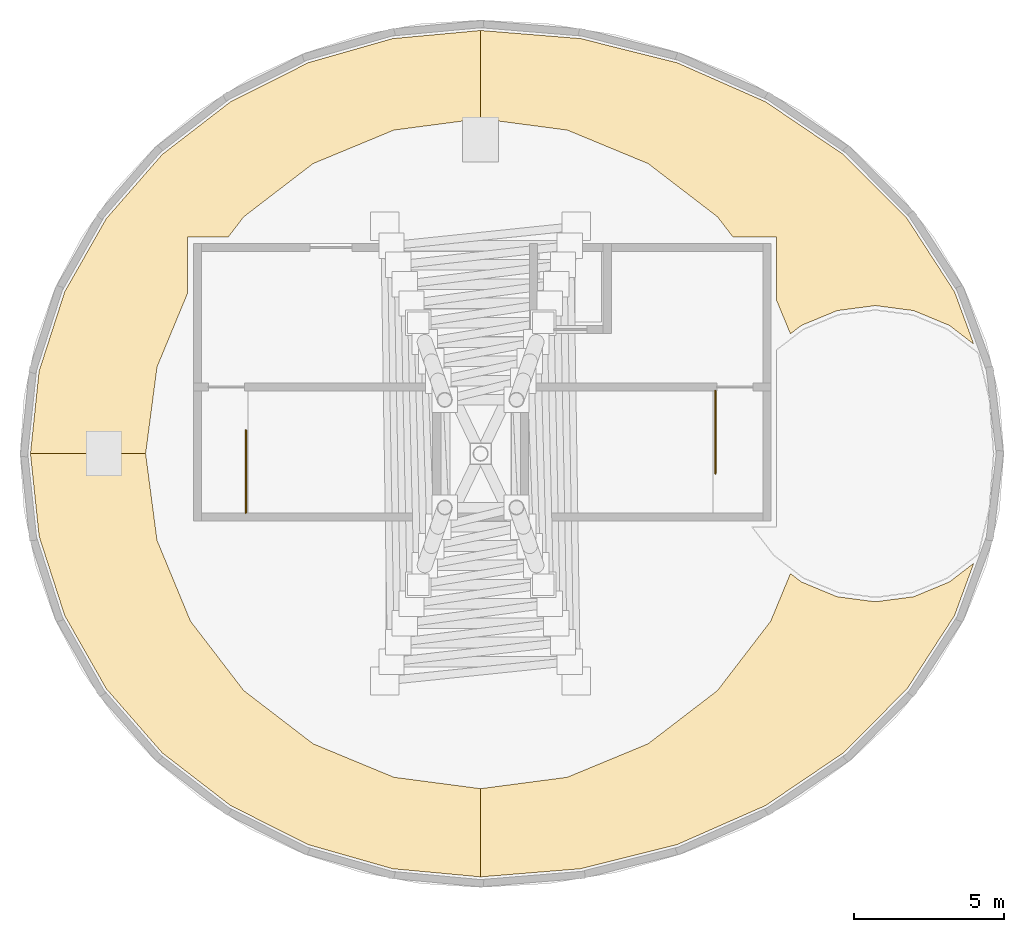
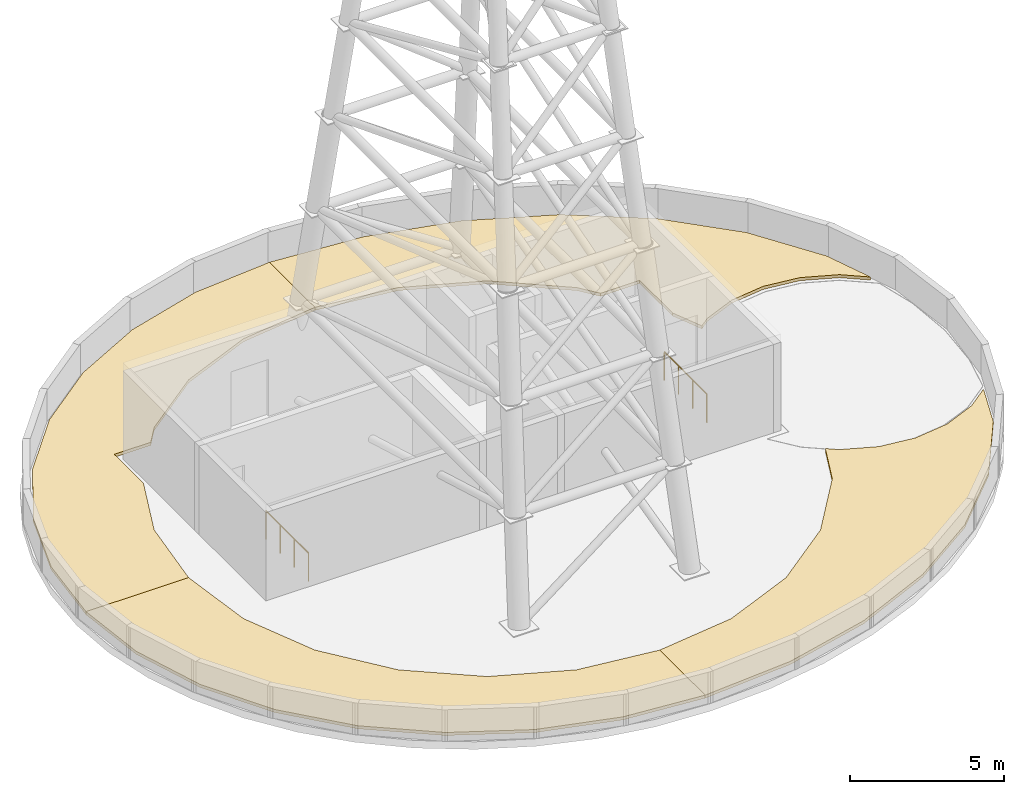
# One storey, part 4 of 4: 4 coverings, 2 railings.
"""IFC4 building model written with IfcOpenShell, lengths in metres."""

from ifc_helpers import new_model, si_unit, direction, frame, origin, origin_2d, place, context, subcontext, project, spatial, polyline, circle, outline, extrude, material, layer, layer_set, type_object, element, save


model = new_model("IFC4")

# Units and contexts
model_context = context("Model", 3, precision=1e-05, world=origin(), true_north=direction((0.0, 1.0)))
body_context = subcontext(model_context, "Body", "Model", "MODEL_VIEW")
ifc_project = project(units=[si_unit("LENGTHUNIT", "METRE"), si_unit("AREAUNIT", "SQUARE_METRE"), si_unit("VOLUMEUNIT", "CUBIC_METRE"), si_unit("PLANEANGLEUNIT", "RADIAN"), si_unit("MASSUNIT", "GRAM", prefix="KILO")], contexts=[model_context])

# Site, building, storey
site_placement = place(None, origin())
site = spatial("IfcSite", under=ifc_project, at=site_placement, CompositionType="ELEMENT")
building_placement = place(site_placement, origin())
building = spatial("IfcBuilding", under=site, at=building_placement, Name="Lazwardi Medical Tower", CompositionType="ELEMENT")
storey_placement = place(building_placement, frame((0.0, 0.0, 316.0)))
storey = spatial("IfcBuildingStorey", under=building, at=storey_placement, Name="RF", CompositionType="ELEMENT", Elevation=316.0)

# Coverings
ifc_material_1 = material(Name="EPDM waterproof membrane and XPS insulation")
ifc_layer = layer(ifc_material_1, 0.1201171875)
ifc_layer_set = layer_set([ifc_layer], Name="EPDM waterproof membrane and XPS insulation")
covering_type = type_object("IfcCoveringType", Name="COV-ROOF-01", PredefinedType="ROOFING", material=ifc_layer_set)
covering_1_placement = place(storey_placement, origin())
element("IfcCovering", 1, at=covering_1_placement, inside=storey, type_object=covering_type, Name="RF Waterproofing Roof Membrane 1", PredefinedType="ROOFING", context=body_context, shape_type="SweptSolid", body=[
    extrude(outline(polyline([(20.949951171875, 28.0), (24.800048828125, 28.0), (25.181640625, 30.898681640625), (26.199951171875, 33.357421875), (26.199951171875, 35.25), (27.566650390625, 35.25), (28.080322265625, 35.919677734375), (30.39990234375, 37.699462890625), (33.101318359375, 38.818359375), (36.0, 39.199951171875), (36.0, 42.14990234375), (33.06396484375, 41.878173828125), (30.240478515625, 41.072998046875), (27.638671875, 39.765380859375), (25.35791015625, 38.005615234375), (23.486328125, 35.861328125), (22.095703125, 33.4150390625), (21.2392578125, 30.760498046875), (20.949951171875, 28.0)])), origin(), (0.0, 0.0, 1.0), 0.1201171875),
])
covering_2_placement = place(storey_placement, origin())
element("IfcCovering", 2, at=covering_2_placement, inside=storey, type_object=covering_type, Name="RF Waterproofing Roof Membrane 2", PredefinedType="ROOFING", context=body_context, shape_type="SweptSolid", body=[
    extrude(outline(polyline([(36.0, 42.14990234375), (36.0, 39.199951171875), (38.898681640625, 38.818359375), (41.60009765625, 37.699462890625), (43.919677734375, 35.919677734375), (44.433349609375, 35.25), (45.89990234375, 35.25), (45.89990234375, 33.115966796875), (46.359130859375, 32.007568359375), (46.708740234375, 32.27587890625), (46.719482421875, 32.283447265625), (46.730712890625, 32.2900390625), (46.74267578125, 32.29541015625), (47.900390625, 32.77490234375), (47.91259765625, 32.779541015625), (47.92529296875, 32.782958984375), (47.93798828125, 32.78515625), (49.180419921875, 32.94873046875), (49.193603515625, 32.949951171875), (49.20654296875, 32.949951171875), (49.219482421875, 32.94873046875), (50.4619140625, 32.78515625), (50.474853515625, 32.782958984375), (50.4873046875, 32.779541015625), (50.499755859375, 32.77490234375), (51.657470703125, 32.29541015625), (51.669189453125, 32.2900390625), (51.6806640625, 32.283447265625), (51.69140625, 32.27587890625), (52.488037109375, 31.66455078125), (51.844482421875, 33.4150390625), (50.259765625, 35.861328125), (48.126953125, 38.005615234375), (45.528076171875, 39.765380859375), (42.56298828125, 41.072998046875), (39.345703125, 41.878173828125), (36.0, 42.14990234375)])), origin(), (0.0, 0.0, 1.0), 0.1201171875),
])
covering_3_placement = place(storey_placement, origin())
element("IfcCovering", 3, at=covering_3_placement, inside=storey, type_object=covering_type, Name="RF Waterproofing Roof Membrane 3", PredefinedType="ROOFING", context=body_context, shape_type="SweptSolid", body=[
    extrude(outline(polyline([(51.844482421875, 22.5849609375), (52.488037109375, 24.33544921875), (51.69140625, 23.72412109375), (51.6806640625, 23.716552734375), (51.669189453125, 23.7099609375), (51.657470703125, 23.70458984375), (50.499755859375, 23.22509765625), (50.4873046875, 23.220458984375), (50.474853515625, 23.217041015625), (50.4619140625, 23.21484375), (49.219482421875, 23.05126953125), (49.20654296875, 23.050048828125), (49.193603515625, 23.050048828125), (49.180419921875, 23.05126953125), (47.93798828125, 23.21484375), (47.92529296875, 23.217041015625), (47.91259765625, 23.220458984375), (47.900390625, 23.22509765625), (46.74267578125, 23.70458984375), (46.730712890625, 23.7099609375), (46.719482421875, 23.716552734375), (46.708740234375, 23.72412109375), (46.359130859375, 23.992431640625), (45.699462890625, 22.39990234375), (43.919677734375, 20.080322265625), (41.60009765625, 18.300537109375), (38.898681640625, 17.181640625), (36.0, 16.800048828125), (36.0, 13.85009765625), (39.345703125, 14.121826171875), (42.56298828125, 14.927001953125), (45.528076171875, 16.234619140625), (48.126953125, 17.994384765625), (50.259765625, 20.138671875), (51.844482421875, 22.5849609375)])), origin(), (0.0, 0.0, 1.0), 0.1201171875),
])
covering_4_placement = place(storey_placement, origin())
element("IfcCovering", 4, at=covering_4_placement, inside=storey, type_object=covering_type, Name="RF Waterproofing Roof Membrane 4", PredefinedType="ROOFING", context=body_context, shape_type="SweptSolid", body=[
    extrude(outline(polyline([(36.0, 13.85009765625), (36.0, 16.800048828125), (33.101318359375, 17.181640625), (30.39990234375, 18.300537109375), (28.080322265625, 20.080322265625), (26.300537109375, 22.39990234375), (25.181640625, 25.101318359375), (24.800048828125, 28.0), (20.949951171875, 28.0), (21.2392578125, 25.239501953125), (22.095703125, 22.5849609375), (23.486328125, 20.138671875), (25.35791015625, 17.994384765625), (27.638671875, 16.234619140625), (30.240478515625, 14.927001953125), (33.06396484375, 14.121826171875), (36.0, 13.85009765625)])), origin(), (0.0, 0.0, 1.0), 0.1201171875),
])

# Railings
ifc_material_2 = material(Name="Stainless steel Grade 316", Category="steel")
railing_type = type_object("IfcRailingType", Name="RLG-GRD-1150", PredefinedType="GUARDRAIL", material=ifc_material_2)
railing_1_placement = place(storey_placement, frame((28.14990234375, 26.02001953125, 0.0)))
element("IfcRailing", 5, at=railing_1_placement, inside=storey, type_object=railing_type, Name="RF ST1 top well guard 1", PredefinedType="GUARDRAIL", context=body_context, shape_type="SweptSolid", body=[
    extrude(circle(Radius=0.02392578125, at=origin_2d()), frame((0.0, 0.0, 1.1259765625), z_axis=(0.0, 1.0, 0.0), x_axis=(-1.0, 0.0, 0.0)), (0.0, 0.0, 1.0), 2.760009765625),
    extrude(circle(Radius=0.02099609375, at=origin_2d()), origin(), (0.0, 0.0, 1.0), 1.099853515625),
    extrude(circle(Radius=0.02099609375, at=origin_2d()), frame((0.0, 0.919921875, 0.0)), (0.0, 0.0, 1.0), 1.099853515625),
    extrude(circle(Radius=0.02099609375, at=origin_2d()), frame((0.0, 1.840087890625, 0.0)), (0.0, 0.0, 1.0), 1.099853515625),
    extrude(circle(Radius=0.02099609375, at=origin_2d()), frame((0.0, 2.760009765625, 0.0)), (0.0, 0.0, 1.0), 1.099853515625),
])
railing_2_placement = place(storey_placement, frame((43.85009765625, 30.10009765625, 0.0)))
element("IfcRailing", 6, at=railing_2_placement, inside=storey, type_object=railing_type, Name="RF ST2 top well guard 1", PredefinedType="GUARDRAIL", context=body_context, shape_type="SweptSolid", body=[
    extrude(circle(Radius=0.02392578125, at=origin_2d()), frame((0.0, 0.0, 1.1259765625), z_axis=(0.0, -1.0, 0.0), x_axis=(1.0, 0.0, 0.0)), (0.0, 0.0, 1.0), 2.760009765625),
    extrude(circle(Radius=0.02099609375, at=origin_2d()), origin(), (0.0, 0.0, 1.0), 1.099853515625),
    extrude(circle(Radius=0.02099609375, at=origin_2d()), frame((0.0, -0.919921875, 0.0)), (0.0, 0.0, 1.0), 1.099853515625),
    extrude(circle(Radius=0.02099609375, at=origin_2d()), frame((0.0, -1.840087890625, 0.0)), (0.0, 0.0, 1.0), 1.099853515625),
    extrude(circle(Radius=0.02099609375, at=origin_2d()), frame((0.0, -2.760009765625, 0.0)), (0.0, 0.0, 1.0), 1.099853515625),
])

save(model, "model.ifc")
